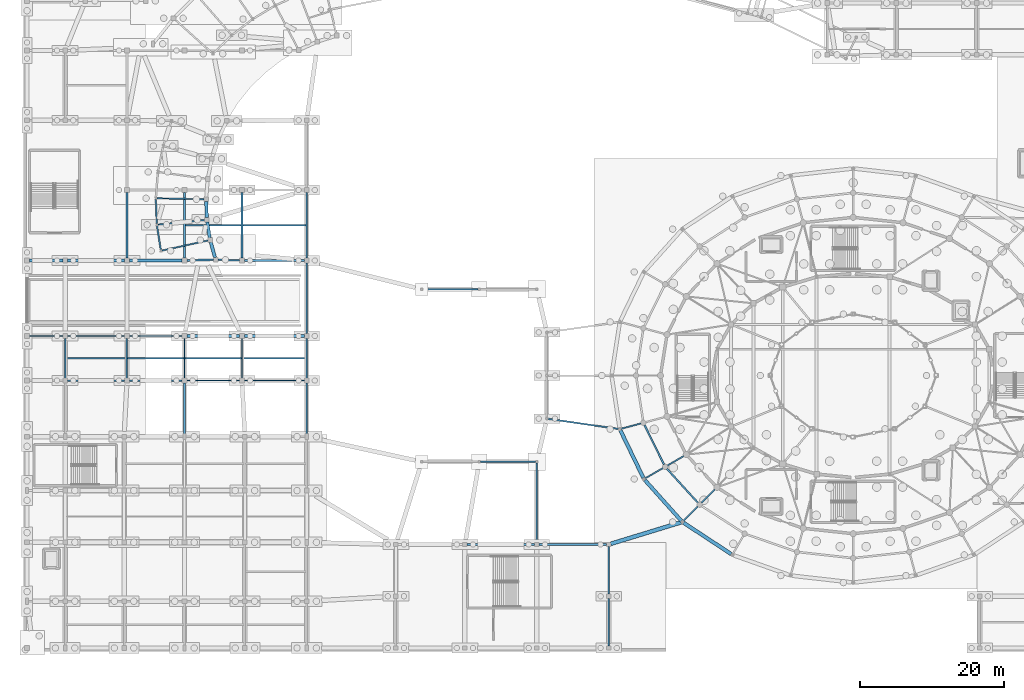
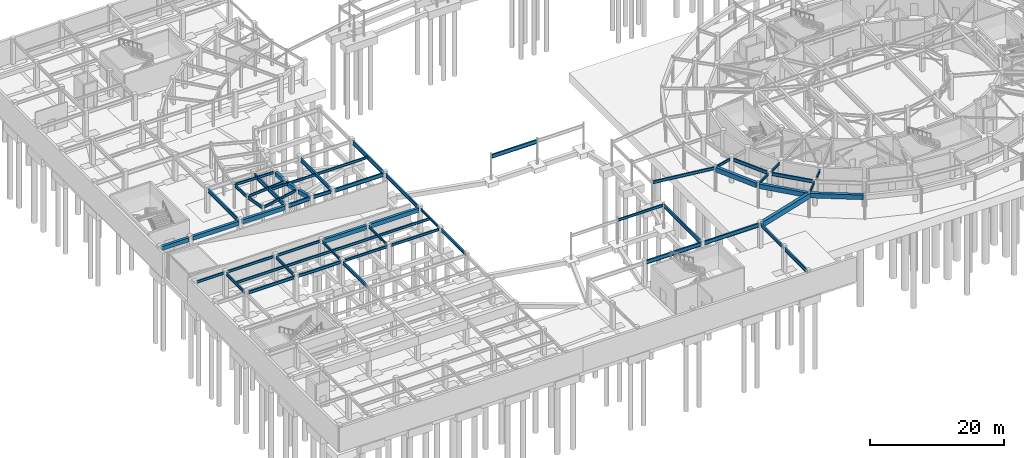
# One storey, part 27 of 68: 60 beams.
"""IFC4 building model written with IfcOpenShell, lengths in metres."""

from ifc_helpers import new_model, si_unit, direction, frame, origin, origin_2d, place, context, subcontext, project, spatial, rectangle, i_section, extrude, material, material_profile, profile_set, type_object, element, save


model = new_model("IFC4")

# Units and contexts
model_context = context("Model", 3, precision=1e-05, world=origin(), true_north=direction((0.0, 1.0)))
body_context = subcontext(model_context, "Body", "Model", "MODEL_VIEW")
ifc_project = project(units=[si_unit("LENGTHUNIT", "METRE"), si_unit("AREAUNIT", "SQUARE_METRE"), si_unit("VOLUMEUNIT", "CUBIC_METRE"), si_unit("PLANEANGLEUNIT", "RADIAN"), si_unit("MASSUNIT", "GRAM", prefix="KILO")], contexts=[model_context])

# Site, building, storey
site_placement = place(None, origin())
site = spatial("IfcSite", under=ifc_project, at=site_placement, CompositionType="ELEMENT")
building_placement = place(site_placement, origin())
building = spatial("IfcBuilding", under=site, at=building_placement, Name="Cinderbank Siding Concert Hall", CompositionType="ELEMENT")
storey_placement = place(building_placement, frame((0.0, 0.0, -4.800048828125)))
storey = spatial("IfcBuildingStorey", under=building, at=storey_placement, Name="B1", CompositionType="ELEMENT", Elevation=-4.800048828125)

# Beams
ifc_material_1 = material(Name="Reinforced concrete AS 3600 N50 (50 MPa)", Category="concrete")
ifc_material_profile_1 = material_profile(ifc_material_1, rectangle(XDim=0.449951171875, YDim=0.75, at=origin_2d()), Name="RC-BM-450x750", Category="LoadBearing")
ifc_profile_set_1 = profile_set([ifc_material_profile_1], Name="Reinforced concrete AS 3600 N50 (50 MPa)")
beam_type_1 = type_object("IfcBeamType", Name="BM-RC750 RC-BM-450x750", PredefinedType="BEAM", material=ifc_profile_set_1)
beam_1_placement = place(storey_placement, frame((32.017578125, 68.185791015625, 4.10693359375), z_axis=(0.038289040076, -0.999266705845, 0.0), x_axis=(0.999266705845, 0.038289040076, 0.0)))
element("IfcBeam", 1, at=beam_1_placement, inside=storey, type_object=beam_type_1, Name="B1 Beam BM-RC750 #889", PredefinedType="BEAM", context=body_context, shape_type="SweptSolid", body=[
    extrude(rectangle(XDim=0.449951171875, YDim=0.75, at=origin_2d()), origin(), (0.0, 0.0, 1.0), 2.212646484375),
])
for number, where, z_axis, x_axis, name in (
    (2, (32.1640625, 65.344970703125, 4.10693359375), (0.15644980143, -0.987685911428, 0.0), (0.987685911428, 0.15644980143, 0.0), "B1 Beam BM-RC750 #892"),
    (3, (32.646240234375, 62.54150390625, 4.10693359375), (0.272272359164, -0.962220225538, 0.0), (0.962220225538, 0.272272359164, 0.0), "B1 Beam BM-RC750 #895"),
):
    element("IfcBeam", number, at=place(storey_placement, frame(where, z_axis=z_axis, x_axis=x_axis)), inside=storey, type_object=beam_type_1, Name=name, PredefinedType="BEAM", context=body_context, shape_type="SweptSolid", body=[
        extrude(rectangle(XDim=0.449951171875, YDim=0.75, at=origin_2d()), origin(), (0.0, 0.0, 1.0), 2.212890625),
    ])
beam_2_placement = place(storey_placement, frame((7.4169921875, 60.0, 4.126953125), z_axis=(1.0, 0.0, 0.0), x_axis=(0.0, 1.0, 0.0)))
element("IfcBeam", 4, at=beam_2_placement, inside=storey, type_object=beam_type_1, Name="B1 Beam BM-RC750 #1187", PredefinedType="BEAM", context=body_context, shape_type="SweptSolid", body=[
    extrude(rectangle(XDim=0.449951171875, YDim=0.75, at=origin_2d()), origin(), (0.0, 0.0, 1.0), 4.666015625),
])
beam_3_placement = place(storey_placement, frame((12.717041015625, 60.0, 4.10693359375), z_axis=(1.0, 0.0, 0.0), x_axis=(0.0, 1.0, 0.0)))
element("IfcBeam", 5, at=beam_3_placement, inside=storey, type_object=beam_type_1, Name="B1 Beam BM-RC750 #1193", PredefinedType="BEAM", context=body_context, shape_type="SweptSolid", body=[
    extrude(rectangle(XDim=0.449951171875, YDim=0.75, at=origin_2d()), origin(), (0.0, 0.0, 1.0), 7.966064453125),
])
for number, where, z_axis, x_axis, name in (
    (6, (21.31689453125, 60.0, 4.10693359375), (1.0, 0.0, 0.0), (0.0, 1.0, 0.0), "B1 Beam BM-RC750 #1200"),
    (7, (29.31689453125, 49.5, 4.10693359375), (1.0, 0.0, 0.0), (0.0, 1.0, 0.0), "B1 Beam BM-RC750 #1209"),
):
    element("IfcBeam", number, at=place(storey_placement, frame(where, z_axis=z_axis, x_axis=x_axis)), inside=storey, type_object=beam_type_1, Name=name, PredefinedType="BEAM", context=body_context, shape_type="SweptSolid", body=[
        extrude(rectangle(XDim=0.449951171875, YDim=0.75, at=origin_2d()), origin(), (0.0, 0.0, 1.0), 7.3662109375),
    ])
beam_4_placement = place(storey_placement, frame((37.31689453125, 49.5, 4.10693359375), z_axis=(1.0, 0.0, 0.0), x_axis=(0.0, 1.0, 0.0)))
element("IfcBeam", 8, at=beam_4_placement, inside=storey, type_object=beam_type_1, Name="B1 Beam BM-RC750 #1216", PredefinedType="BEAM", context=body_context, shape_type="SweptSolid", body=[
    extrude(rectangle(XDim=0.449951171875, YDim=0.75, at=origin_2d()), origin(), (0.0, 0.0, 1.0), 8.3662109375),
])
ifc_material_profile_2 = material_profile(ifc_material_1, rectangle(XDim=0.5, YDim=0.85009765625, at=origin_2d()), Name="RC-BM-500x850", Category="LoadBearing")
ifc_profile_set_2 = profile_set([ifc_material_profile_2], Name="Reinforced concrete AS 3600 N50 (50 MPa)")
beam_type_2 = type_object("IfcBeamType", Name="BM-RC850 RC-BM-500x850", PredefinedType="BEAM", material=ifc_profile_set_2)
beam_5_placement = place(storey_placement, frame((89.6298828125, 36.3701171875, 4.09716796875), z_axis=(0.435119119312, -0.900372896087, 0.0), x_axis=(0.900372896087, 0.435119119312, 0.0)))
element("IfcBeam", 9, at=beam_5_placement, inside=storey, type_object=beam_type_2, Name="B1 Beam BM-RC850 #263", PredefinedType="BEAM", context=body_context, shape_type="SweptSolid", body=[
    extrude(rectangle(XDim=0.5, YDim=0.85009765625, at=origin_2d()), origin(), (0.0, 0.0, 1.0), 7.323974609375),
])
beam_6_placement = place(storey_placement, frame((93.03173828125, 29.45458984375, 4.09716796875), z_axis=(0.66699631625, -0.745061013682, 0.0), x_axis=(0.745061013682, 0.66699631625, 0.0)))
element("IfcBeam", 10, at=beam_6_placement, inside=storey, type_object=beam_type_2, Name="B1 Beam BM-RC850 #264", PredefinedType="BEAM", context=body_context, shape_type="SweptSolid", body=[
    extrude(rectangle(XDim=0.5, YDim=0.85009765625, at=origin_2d()), origin(), (0.0, 0.0, 1.0), 7.615234375),
])
beam_7_placement = place(storey_placement, frame((98.404296875, 23.528076171875, 4.09716796875), z_axis=(0.835488051266, -0.549508613392, 0.0), x_axis=(0.549508613392, 0.835488051266, 0.0)))
element("IfcBeam", 11, at=beam_7_placement, inside=storey, type_object=beam_type_2, Name="B1 Beam BM-RC850 #265", PredefinedType="BEAM", context=body_context, shape_type="SweptSolid", body=[
    extrude(rectangle(XDim=0.5, YDim=0.85009765625, at=origin_2d()), origin(), (0.0, 0.0, 1.0), 7.9384765625),
])
ifc_material_profile_3 = material_profile(ifc_material_1, rectangle(XDim=0.550048828125, YDim=0.949951171875, at=origin_2d()), Name="RC-BM-550x950", Category="LoadBearing")
ifc_profile_set_3 = profile_set([ifc_material_profile_3], Name="Reinforced concrete AS 3600 N50 (50 MPa)")
beam_type_3 = type_object("IfcBeamType", Name="BM-RC950 RC-BM-550x950", PredefinedType="BEAM", material=ifc_profile_set_3)
beam_8_placement = place(storey_placement, frame((88.279296875, 20.58544921875, 4.047119140625), z_axis=(0.956194226073, 0.292732987592, 0.0), x_axis=(-0.292732987592, 0.956194226073, 0.0)))
element("IfcBeam", 12, at=beam_8_placement, inside=storey, type_object=beam_type_3, Name="B1 Beam BM-RC950 #15", PredefinedType="BEAM", context=body_context, shape_type="SweptSolid", body=[
    extrude(rectangle(XDim=0.550048828125, YDim=0.949951171875, at=origin_2d()), origin(), (0.0, 0.0, 1.0), 10.22314453125),
])
ifc_material_2 = material(Name="Structural steel AS/NZS 3679.1 Grade 350 (340 MPa)", Category="steel")
ifc_material_profile_4 = material_profile(ifc_material_2, i_section(OverallWidth=0.18994140625, OverallDepth=0.45751953125, WebThickness=0.009033203125, FlangeThickness=0.014404296875, at=origin_2d()), Name="460UB74.6", Category="LoadBearing")
ifc_profile_set_4 = profile_set([ifc_material_profile_4], Name="Structural steel AS/NZS 3679.1 Grade 350 (340 MPa)")
beam_type_4 = type_object("IfcBeamType", Name="BM-UB460 460UB74.6", PredefinedType="BEAM", material=ifc_profile_set_4)
beam_9_placement = place(storey_placement, frame((31.6884765625, 68.50927734375, 4.25341796875), z_axis=(-0.999780521947, 0.020950129718, 0.0), x_axis=(-0.020950129718, -0.999780521947, 0.0)))
element("IfcBeam", 13, at=beam_9_placement, inside=storey, type_object=beam_type_4, Name="B1 Beam BM-UB460 #888", PredefinedType="BEAM", context=body_context, shape_type="SweptSolid", body=[
    extrude(i_section(OverallWidth=0.18994140625, OverallDepth=0.45751953125, WebThickness=0.009033203125, FlangeThickness=0.014404296875, at=origin_2d()), origin(), (0.0, 0.0, 1.0), 6.53759765625),
])
beam_10_placement = place(storey_placement, frame((31.799072265625, 65.627197265625, 4.25341796875), z_axis=(-0.995224398757, -0.097613503771, 0.0), x_axis=(0.097613503771, -0.995224398757, 0.0)))
element("IfcBeam", 14, at=beam_10_placement, inside=storey, type_object=beam_type_4, Name="B1 Beam BM-UB460 #891", PredefinedType="BEAM", context=body_context, shape_type="SweptSolid", body=[
    extrude(i_section(OverallWidth=0.18994140625, OverallDepth=0.45751953125, WebThickness=0.009033203125, FlangeThickness=0.014404296875, at=origin_2d()), origin(), (0.0, 0.0, 1.0), 6.535400390625),
])
beam_11_placement = place(storey_placement, frame((32.250244140625, 62.7783203125, 4.25341796875), z_axis=(-0.976673139677, -0.214731409519, 0.0), x_axis=(0.214731409519, -0.976673139677, 0.0)))
element("IfcBeam", 15, at=beam_11_placement, inside=storey, type_object=beam_type_4, Name="B1 Beam BM-UB460 #894", PredefinedType="BEAM", context=body_context, shape_type="SweptSolid", body=[
    extrude(i_section(OverallWidth=0.18994140625, OverallDepth=0.45751953125, WebThickness=0.009033203125, FlangeThickness=0.014404296875, at=origin_2d()), origin(), (0.0, 0.0, 1.0), 6.53759765625),
])
beam_12_placement = place(storey_placement, frame((7.4169921875, 49.5, 4.2734375), z_axis=(1.0, 0.0, 0.0), x_axis=(0.0, 1.0, 0.0)))
element("IfcBeam", 16, at=beam_12_placement, inside=storey, type_object=beam_type_4, Name="B1 Beam BM-UB460 #1186", PredefinedType="BEAM", context=body_context, shape_type="SweptSolid", body=[
    extrude(i_section(OverallWidth=0.18994140625, OverallDepth=0.45751953125, WebThickness=0.009033203125, FlangeThickness=0.014404296875, at=origin_2d()), origin(), (0.0, 0.0, 1.0), 4.666015625),
])
beam_13_placement = place(storey_placement, frame((12.717041015625, 49.5, 4.2734375), z_axis=(1.0, 0.0, 0.0), x_axis=(0.0, 1.0, 0.0)))
element("IfcBeam", 17, at=beam_13_placement, inside=storey, type_object=beam_type_4, Name="B1 Beam BM-UB460 #1192", PredefinedType="BEAM", context=body_context, shape_type="SweptSolid", body=[
    extrude(i_section(OverallWidth=0.18994140625, OverallDepth=0.45751953125, WebThickness=0.009033203125, FlangeThickness=0.014404296875, at=origin_2d()), origin(), (0.0, 0.0, 1.0), 7.966064453125),
])
for number, where, z_axis, x_axis, name in (
    (18, (21.31689453125, 49.5, 4.2734375), (1.0, 0.0, 0.0), (0.0, 1.0, 0.0), "B1 Beam BM-UB460 #1199"),
    (19, (29.31689453125, 43.300048828125, 4.25341796875), (1.0, 0.0, 0.0), (0.0, 1.0, 0.0), "B1 Beam BM-UB460 #1207"),
):
    element("IfcBeam", number, at=place(storey_placement, frame(where, z_axis=z_axis, x_axis=x_axis)), inside=storey, type_object=beam_type_4, Name=name, PredefinedType="BEAM", context=body_context, shape_type="SweptSolid", body=[
        extrude(i_section(OverallWidth=0.18994140625, OverallDepth=0.45751953125, WebThickness=0.009033203125, FlangeThickness=0.014404296875, at=origin_2d()), origin(), (0.0, 0.0, 1.0), 7.3662109375),
    ])
beam_14_placement = place(storey_placement, frame((29.0, 43.616943359375, 4.25341796875), z_axis=(0.0, 1.0, 0.0), x_axis=(-1.0, 0.0, 0.0)))
element("IfcBeam", 20, at=beam_14_placement, inside=storey, type_object=beam_type_4, Name="B1 Beam BM-UB460 #1208", PredefinedType="BEAM", context=body_context, shape_type="SweptSolid", body=[
    extrude(i_section(OverallWidth=0.18994140625, OverallDepth=0.45751953125, WebThickness=0.009033203125, FlangeThickness=0.014404296875, at=origin_2d()), origin(), (0.0, 0.0, 1.0), 5.566162109375),
])
beam_15_placement = place(storey_placement, frame((37.31689453125, 43.300048828125, 4.25341796875), z_axis=(1.0, 0.0, 0.0), x_axis=(0.0, 1.0, 0.0)))
element("IfcBeam", 21, at=beam_15_placement, inside=storey, type_object=beam_type_4, Name="B1 Beam BM-UB460 #1214", PredefinedType="BEAM", context=body_context, shape_type="SweptSolid", body=[
    extrude(i_section(OverallWidth=0.18994140625, OverallDepth=0.45751953125, WebThickness=0.009033203125, FlangeThickness=0.014404296875, at=origin_2d()), origin(), (0.0, 0.0, 1.0), 8.3662109375),
])
for number, where, z_axis, x_axis, name in (
    (22, (37.0, 43.616943359375, 4.25341796875), (0.0, 1.0, 0.0), (-1.0, 0.0, 0.0), "B1 Beam BM-UB460 #1215"),
    (23, (46.0, 43.616943359375, 4.25341796875), (0.0, 1.0, 0.0), (-1.0, 0.0, 0.0), "B1 Beam BM-UB460 #1221"),
):
    element("IfcBeam", number, at=place(storey_placement, frame(where, z_axis=z_axis, x_axis=x_axis)), inside=storey, type_object=beam_type_4, Name=name, PredefinedType="BEAM", context=body_context, shape_type="SweptSolid", body=[
        extrude(i_section(OverallWidth=0.18994140625, OverallDepth=0.45751953125, WebThickness=0.009033203125, FlangeThickness=0.014404296875, at=origin_2d()), origin(), (0.0, 0.0, 1.0), 5.566162109375),
    ])
beam_16_placement = place(storey_placement, frame((70.15380859375, 32.0, 4.25341796875), z_axis=(1.0, 0.0, 0.0), x_axis=(0.0, 1.0, 0.0)))
element("IfcBeam", 24, at=beam_16_placement, inside=storey, type_object=beam_type_4, Name="B1 Beam BM-UB460 #1226", PredefinedType="BEAM", context=body_context, shape_type="SweptSolid", body=[
    extrude(i_section(OverallWidth=0.18994140625, OverallDepth=0.45751953125, WebThickness=0.009033203125, FlangeThickness=0.014404296875, at=origin_2d()), origin(), (0.0, 0.0, 1.0), 7.6923828125),
])
ifc_material_profile_5 = material_profile(ifc_material_2, i_section(OverallWidth=0.19091796875, OverallDepth=0.46044921875, WebThickness=0.010009765625, FlangeThickness=0.01611328125, at=origin_2d()), Name="460UB82.1", Category="LoadBearing")
ifc_profile_set_5 = profile_set([ifc_material_profile_5], Name="Structural steel AS/NZS 3679.1 Grade 350 (340 MPa)")
beam_type_5 = type_object("IfcBeamType", Name="BM-UB460H 460UB82.1", PredefinedType="BEAM", material=ifc_profile_set_5)
beam_17_placement = place(storey_placement, frame((98.429443359375, 32.79150390625, 4.251953125), z_axis=(-0.866017746076, -0.500013263306, 0.0), x_axis=(0.500013263306, -0.866017746076, 0.0)))
element("IfcBeam", 25, at=beam_17_placement, inside=storey, type_object=beam_type_5, Name="B1 Beam BM-UB460H #299", PredefinedType="BEAM", context=body_context, shape_type="SweptSolid", body=[
    extrude(i_section(OverallWidth=0.19091796875, OverallDepth=0.46044921875, WebThickness=0.010009765625, FlangeThickness=0.01611328125, at=origin_2d()), origin(), (0.0, 0.0, 1.0), 2.6162109375),
])
beam_18_placement = place(storey_placement, frame((102.754638671875, 28.148681640625, 4.251953125), z_axis=(-0.707153444121, -0.707060115172, 0.0), x_axis=(0.707060115172, -0.707153444121, 0.0)))
element("IfcBeam", 26, at=beam_18_placement, inside=storey, type_object=beam_type_5, Name="B1 Beam BM-UB460H #300", PredefinedType="BEAM", context=body_context, shape_type="SweptSolid", body=[
    extrude(i_section(OverallWidth=0.19091796875, OverallDepth=0.46044921875, WebThickness=0.010009765625, FlangeThickness=0.01611328125, at=origin_2d()), origin(), (0.0, 0.0, 1.0), 2.615966796875),
])
for number, where, z_axis, x_axis, name in (
    (27, (92.474609375, 37.3310546875, 4.291748046875), (-0.965915793318, -0.258856485758, 0.0), (0.258856485758, -0.965915793318, 0.0), "B1 Beam BM-UB460H #322"),
    (28, (95.5283203125, 31.116455078125, 4.291748046875), (-0.866032301043, -0.499988053408, 0.0), (0.499988053408, -0.866032301043, 0.0), "B1 Beam BM-UB460H #323"),
):
    element("IfcBeam", number, at=place(storey_placement, frame(where, z_axis=z_axis, x_axis=x_axis)), inside=storey, type_object=beam_type_5, Name=name, PredefinedType="BEAM", context=body_context, shape_type="SweptSolid", body=[
        extrude(i_section(OverallWidth=0.19091796875, OverallDepth=0.46044921875, WebThickness=0.010009765625, FlangeThickness=0.01611328125, at=origin_2d()), origin(), (0.0, 0.0, 1.0), 2.837890625),
    ])
beam_19_placement = place(storey_placement, frame((100.385986328125, 25.780029296875, 4.291748046875), z_axis=(-0.707106781187, -0.707106781187, 0.0), x_axis=(0.707106781187, -0.707106781187, 0.0)))
element("IfcBeam", 29, at=beam_19_placement, inside=storey, type_object=beam_type_5, Name="B1 Beam BM-UB460H #324", PredefinedType="BEAM", context=body_context, shape_type="SweptSolid", body=[
    extrude(i_section(OverallWidth=0.19091796875, OverallDepth=0.46044921875, WebThickness=0.010009765625, FlangeThickness=0.01611328125, at=origin_2d()), origin(), (0.0, 0.0, 1.0), 2.838134765625),
])
ifc_material_profile_6 = material_profile(ifc_material_2, i_section(OverallWidth=0.208984375, OverallDepth=0.5283203125, WebThickness=0.009521484375, FlangeThickness=0.01318359375, at=origin_2d()), Name="530UB82.0", Category="LoadBearing")
ifc_profile_set_6 = profile_set([ifc_material_profile_6], Name="Structural steel AS/NZS 3679.1 Grade 350 (340 MPa)")
beam_type_6 = type_object("IfcBeamType", Name="BM-UB530 530UB82.0", PredefinedType="BEAM", material=ifc_profile_set_6)
beam_20_placement = place(storey_placement, frame((79.552490234375, 37.978271484375, 4.216064453125), z_axis=(0.989883786207, -0.141880547662, 0.0), x_axis=(0.141880547662, 0.989883786207, 0.0)))
element("IfcBeam", 30, at=beam_20_placement, inside=storey, type_object=beam_type_6, Name="B1 Beam BM-UB530 #28", PredefinedType="BEAM", context=body_context, shape_type="SweptSolid", body=[
    extrude(i_section(OverallWidth=0.208984375, OverallDepth=0.5283203125, WebThickness=0.009521484375, FlangeThickness=0.01318359375, at=origin_2d()), origin(), (0.0, 0.0, 1.0), 9.8994140625),
])
for number, where, z_axis, x_axis, name in (
    (31, (25.012451171875, 68.50390625, 4.218017578125), (0.038380479483, -0.999263197959, 0.0), (0.999263197959, 0.038380479483, 0.0), "B1 Beam BM-UB530 #890"),
    (32, (25.171142578125, 64.8291015625, 4.218017578125), (0.156414547922, -0.987691494951, 0.0), (0.987691494951, 0.156414547922, 0.0), "B1 Beam BM-UB530 #893"),
):
    element("IfcBeam", number, at=place(storey_placement, frame(where, z_axis=z_axis, x_axis=x_axis)), inside=storey, type_object=beam_type_6, Name=name, PredefinedType="BEAM", context=body_context, shape_type="SweptSolid", body=[
        extrude(i_section(OverallWidth=0.208984375, OverallDepth=0.5283203125, WebThickness=0.009521484375, FlangeThickness=0.01318359375, at=origin_2d()), origin(), (0.0, 0.0, 1.0), 3.384033203125),
    ])
beam_21_placement = place(storey_placement, frame((12.717041015625, 43.300048828125, 4.238037109375), z_axis=(1.0, 0.0, 0.0), x_axis=(0.0, 1.0, 0.0)))
element("IfcBeam", 33, at=beam_21_placement, inside=storey, type_object=beam_type_6, Name="B1 Beam BM-UB530 #1190", PredefinedType="BEAM", context=body_context, shape_type="SweptSolid", body=[
    extrude(i_section(OverallWidth=0.208984375, OverallDepth=0.5283203125, WebThickness=0.009521484375, FlangeThickness=0.01318359375, at=origin_2d()), origin(), (0.0, 0.0, 1.0), 7.966064453125),
])
beam_22_placement = place(storey_placement, frame((12.39990234375, 43.616943359375, 4.238037109375), z_axis=(0.0, 1.0, 0.0), x_axis=(-1.0, 0.0, 0.0)))
element("IfcBeam", 34, at=beam_22_placement, inside=storey, type_object=beam_type_6, Name="B1 Beam BM-UB530 #1191", PredefinedType="BEAM", context=body_context, shape_type="SweptSolid", body=[
    extrude(i_section(OverallWidth=0.208984375, OverallDepth=0.5283203125, WebThickness=0.009521484375, FlangeThickness=0.01318359375, at=origin_2d()), origin(), (0.0, 0.0, 1.0), 5.566162109375),
])
beam_23_placement = place(storey_placement, frame((21.31689453125, 43.300048828125, 4.238037109375), z_axis=(1.0, 0.0, 0.0), x_axis=(0.0, 1.0, 0.0)))
element("IfcBeam", 35, at=beam_23_placement, inside=storey, type_object=beam_type_6, Name="B1 Beam BM-UB530 #1197", PredefinedType="BEAM", context=body_context, shape_type="SweptSolid", body=[
    extrude(i_section(OverallWidth=0.208984375, OverallDepth=0.5283203125, WebThickness=0.009521484375, FlangeThickness=0.01318359375, at=origin_2d()), origin(), (0.0, 0.0, 1.0), 7.3662109375),
])
beam_24_placement = place(storey_placement, frame((21.0, 43.616943359375, 4.238037109375), z_axis=(0.0, 1.0, 0.0), x_axis=(-1.0, 0.0, 0.0)))
element("IfcBeam", 36, at=beam_24_placement, inside=storey, type_object=beam_type_6, Name="B1 Beam BM-UB530 #1198", PredefinedType="BEAM", context=body_context, shape_type="SweptSolid", body=[
    extrude(i_section(OverallWidth=0.208984375, OverallDepth=0.5283203125, WebThickness=0.009521484375, FlangeThickness=0.01318359375, at=origin_2d()), origin(), (0.0, 0.0, 1.0), 5.566162109375),
])
ifc_material_profile_7 = material_profile(ifc_material_2, i_section(OverallWidth=0.22802734375, OverallDepth=0.602294921875, WebThickness=0.010498046875, FlangeThickness=0.014892578125, at=origin_2d()), Name="610UB101", Category="LoadBearing")
ifc_profile_set_7 = profile_set([ifc_material_profile_7], Name="Structural steel AS/NZS 3679.1 Grade 350 (340 MPa)")
beam_type_7 = type_object("IfcBeamType", Name="BM-UB610 610UB101", PredefinedType="BEAM", material=ifc_profile_set_7)
beam_25_placement = place(storey_placement, frame((33.65185546875, 60.09765625, 4.180908203125), z_axis=(0.999575236725, -0.029143543468, 0.0), x_axis=(0.029143543468, 0.999575236725, 0.0)))
element("IfcBeam", 37, at=beam_25_placement, inside=storey, type_object=beam_type_7, Name="B1 Beam BM-UB610 #1067", PredefinedType="BEAM", context=body_context, shape_type="SweptSolid", body=[
    extrude(i_section(OverallWidth=0.22802734375, OverallDepth=0.602294921875, WebThickness=0.010498046875, FlangeThickness=0.014892578125, at=origin_2d()), origin(), (0.0, 0.0, 1.0), 3.032470703125),
])
for number, where, z_axis, x_axis, name in (
    (38, (29.0, 35.717041015625, 4.180908203125), (0.0, 1.0, 0.0), (-1.0, 0.0, 0.0), "B1 Beam BM-UB610 #1088"),
    (39, (46.0, 35.717041015625, 4.180908203125), (0.0, 1.0, 0.0), (-1.0, 0.0, 0.0), "B1 Beam BM-UB610 #1099"),
):
    element("IfcBeam", number, at=place(storey_placement, frame(where, z_axis=z_axis, x_axis=x_axis)), inside=storey, type_object=beam_type_7, Name=name, PredefinedType="BEAM", context=body_context, shape_type="SweptSolid", body=[
        extrude(i_section(OverallWidth=0.22802734375, OverallDepth=0.602294921875, WebThickness=0.010498046875, FlangeThickness=0.014892578125, at=origin_2d()), origin(), (0.0, 0.0, 1.0), 7.265869140625),
    ])
beam_26_placement = place(storey_placement, frame((88.0, 13.592041015625, 4.220947265625), z_axis=(0.0, 1.0, 0.0), x_axis=(-1.0, 0.0, 0.0)))
element("IfcBeam", 40, at=beam_26_placement, inside=storey, type_object=beam_type_7, Name="B1 Beam BM-UB610 #1172", PredefinedType="BEAM", context=body_context, shape_type="SweptSolid", body=[
    extrude(i_section(OverallWidth=0.22802734375, OverallDepth=0.602294921875, WebThickness=0.010498046875, FlangeThickness=0.014892578125, at=origin_2d()), origin(), (0.0, 0.0, 1.0), 6.615966796875),
])
ifc_material_profile_8 = material_profile(ifc_material_2, i_section(OverallWidth=0.22802734375, OverallDepth=0.60693359375, WebThickness=0.01123046875, FlangeThickness=0.017333984375, at=origin_2d()), Name="610UB113", Category="LoadBearing")
ifc_profile_set_8 = profile_set([ifc_material_profile_8], Name="Structural steel AS/NZS 3679.1 Grade 350 (340 MPa)")
beam_type_8 = type_object("IfcBeamType", Name="BM-UB610M 610UB113", PredefinedType="BEAM", material=ifc_profile_set_8)
beam_27_placement = place(storey_placement, frame((92.9912109375, 37.0966796875, 4.178466796875), z_axis=(0.441805555106, -0.89711083567, 0.0), x_axis=(0.89711083567, 0.441805555106, 0.0)))
element("IfcBeam", 41, at=beam_27_placement, inside=storey, type_object=beam_type_8, Name="B1 Beam BM-UB610M #239", PredefinedType="BEAM", context=body_context, shape_type="SweptSolid", body=[
    extrude(i_section(OverallWidth=0.22802734375, OverallDepth=0.60693359375, WebThickness=0.01123046875, FlangeThickness=0.017333984375, at=origin_2d()), origin(), (0.0, 0.0, 1.0), 6.094482421875),
])
beam_28_placement = place(storey_placement, frame((96.093505859375, 31.02880859375, 4.178466796875), z_axis=(0.673967477755, -0.738761016113, 0.0), x_axis=(0.738761016113, 0.673967477755, 0.0)))
element("IfcBeam", 42, at=beam_28_placement, inside=storey, type_object=beam_type_8, Name="B1 Beam BM-UB610M #240", PredefinedType="BEAM", context=body_context, shape_type="SweptSolid", body=[
    extrude(i_section(OverallWidth=0.22802734375, OverallDepth=0.60693359375, WebThickness=0.01123046875, FlangeThickness=0.017333984375, at=origin_2d()), origin(), (0.0, 0.0, 1.0), 6.38671875),
])
ifc_material_3 = material(Name="Structural steel welded plate section AS/NZS 3679.2 / AS/NZS 3678 Grade 350 (340 MPa)", Category="steel")
ifc_material_profile_9 = material_profile(ifc_material_3, i_section(OverallWidth=0.25, OverallDepth=0.699951171875, WebThickness=0.010009765625, FlangeThickness=0.01611328125, at=origin_2d()), Name="700WB130", Category="LoadBearing")
ifc_profile_set_9 = profile_set([ifc_material_profile_9], Name="Structural steel welded plate section AS/NZS 3679.2 / AS/NZS 3678 Grade 350 (340 MPa)")
beam_type_9 = type_object("IfcBeamType", Name="BM-WB700 700WB130", PredefinedType="BEAM", material=ifc_profile_set_9)
for number, where, z_axis, x_axis, name in (
    (43, (68.2919921875, 20.5, 4.172119140625), (1.0, 0.0, 0.0), (0.0, 1.0, 0.0), "B1 Beam BM-WB700 #1168"),
    (44, (78.2919921875, 20.5, 4.172119140625), (1.0, 0.0, 0.0), (0.0, 1.0, 0.0), "B1 Beam BM-WB700 #1169"),
):
    element("IfcBeam", number, at=place(storey_placement, frame(where, z_axis=z_axis, x_axis=x_axis)), inside=storey, type_object=beam_type_9, Name=name, PredefinedType="BEAM", context=body_context, shape_type="SweptSolid", body=[
        extrude(i_section(OverallWidth=0.25, OverallDepth=0.699951171875, WebThickness=0.010009765625, FlangeThickness=0.01611328125, at=origin_2d()), origin(), (0.0, 0.0, 1.0), 9.416015625),
    ])
beam_29_placement = place(storey_placement, frame((78.0, 20.7919921875, 4.172119140625), z_axis=(0.0, 1.0, 0.0), x_axis=(-1.0, 0.0, 0.0)))
element("IfcBeam", 45, at=beam_29_placement, inside=storey, type_object=beam_type_9, Name="B1 Beam BM-WB700 #1170", PredefinedType="BEAM", context=body_context, shape_type="SweptSolid", body=[
    extrude(i_section(OverallWidth=0.25, OverallDepth=0.699951171875, WebThickness=0.010009765625, FlangeThickness=0.01611328125, at=origin_2d()), origin(), (0.0, 0.0, 1.0), 11.05419921875),
])
beam_30_placement = place(storey_placement, frame((88.0, 6.39208984375, 4.172119140625), z_axis=(0.0, 1.0, 0.0), x_axis=(-1.0, 0.0, 0.0)))
element("IfcBeam", 46, at=beam_30_placement, inside=storey, type_object=beam_type_9, Name="B1 Beam BM-WB700 #1171", PredefinedType="BEAM", context=body_context, shape_type="SweptSolid", body=[
    extrude(i_section(OverallWidth=0.25, OverallDepth=0.699951171875, WebThickness=0.010009765625, FlangeThickness=0.01611328125, at=origin_2d()), origin(), (0.0, 0.0, 1.0), 6.615966796875),
])
beam_31_placement = place(storey_placement, frame((21.0, 60.31689453125, 4.132080078125), z_axis=(0.0, 1.0, 0.0), x_axis=(-1.0, 0.0, 0.0)))
element("IfcBeam", 47, at=beam_31_placement, inside=storey, type_object=beam_type_9, Name="B1 Beam BM-WB700 #1201", PredefinedType="BEAM", context=body_context, shape_type="SweptSolid", body=[
    extrude(i_section(OverallWidth=0.25, OverallDepth=0.699951171875, WebThickness=0.010009765625, FlangeThickness=0.01611328125, at=origin_2d()), origin(), (0.0, 0.0, 1.0), 9.166015625),
])
beam_32_placement = place(storey_placement, frame((29.31689453125, 60.0078125, 4.132080078125), z_axis=(0.999695829829, 0.024662680762, 0.0), x_axis=(-0.024662680762, 0.999695829829, 0.0)))
element("IfcBeam", 48, at=beam_32_placement, inside=storey, type_object=beam_type_9, Name="B1 Beam BM-WB700 #1210", PredefinedType="BEAM", context=body_context, shape_type="SweptSolid", body=[
    extrude(i_section(OverallWidth=0.25, OverallDepth=0.699951171875, WebThickness=0.010009765625, FlangeThickness=0.01611328125, at=origin_2d()), origin(), (0.0, 0.0, 1.0), 3.702392578125),
])
beam_33_placement = place(storey_placement, frame((29.0, 60.31689453125, 4.132080078125), z_axis=(0.0, 1.0, 0.0), x_axis=(-1.0, 0.0, 0.0)))
element("IfcBeam", 49, at=beam_33_placement, inside=storey, type_object=beam_type_9, Name="B1 Beam BM-WB700 #1211", PredefinedType="BEAM", context=body_context, shape_type="SweptSolid", body=[
    extrude(i_section(OverallWidth=0.25, OverallDepth=0.699951171875, WebThickness=0.010009765625, FlangeThickness=0.01611328125, at=origin_2d()), origin(), (0.0, 0.0, 1.0), 9.166015625),
])
beam_34_placement = place(storey_placement, frame((37.31689453125, 60.0, 4.132080078125), z_axis=(1.0, 0.0, 0.0), x_axis=(0.0, 1.0, 0.0)))
element("IfcBeam", 50, at=beam_34_placement, inside=storey, type_object=beam_type_9, Name="B1 Beam BM-WB700 #1217", PredefinedType="BEAM", context=body_context, shape_type="SweptSolid", body=[
    extrude(i_section(OverallWidth=0.25, OverallDepth=0.699951171875, WebThickness=0.010009765625, FlangeThickness=0.01611328125, at=origin_2d()), origin(), (0.0, 0.0, 1.0), 8.3662109375),
])
beam_35_placement = place(storey_placement, frame((37.0, 60.31689453125, 4.132080078125), z_axis=(0.0, 1.0, 0.0), x_axis=(-1.0, 0.0, 0.0)))
element("IfcBeam", 51, at=beam_35_placement, inside=storey, type_object=beam_type_9, Name="B1 Beam BM-WB700 #1218", PredefinedType="BEAM", context=body_context, shape_type="SweptSolid", body=[
    extrude(i_section(OverallWidth=0.25, OverallDepth=0.699951171875, WebThickness=0.010009765625, FlangeThickness=0.01611328125, at=origin_2d()), origin(), (0.0, 0.0, 1.0), 9.166015625),
])
beam_36_placement = place(storey_placement, frame((46.0, 49.81689453125, 4.132080078125), z_axis=(0.0, 1.0, 0.0), x_axis=(-1.0, 0.0, 0.0)))
element("IfcBeam", 52, at=beam_36_placement, inside=storey, type_object=beam_type_9, Name="B1 Beam BM-WB700 #1222", PredefinedType="BEAM", context=body_context, shape_type="SweptSolid", body=[
    extrude(i_section(OverallWidth=0.25, OverallDepth=0.699951171875, WebThickness=0.010009765625, FlangeThickness=0.01611328125, at=origin_2d()), origin(), (0.0, 0.0, 1.0), 9.8662109375),
])
beam_37_placement = place(storey_placement, frame((46.0, 60.31689453125, 4.132080078125), z_axis=(0.0, 1.0, 0.0), x_axis=(-1.0, 0.0, 0.0)))
element("IfcBeam", 53, at=beam_37_placement, inside=storey, type_object=beam_type_9, Name="B1 Beam BM-WB700 #1223", PredefinedType="BEAM", context=body_context, shape_type="SweptSolid", body=[
    extrude(i_section(OverallWidth=0.25, OverallDepth=0.699951171875, WebThickness=0.010009765625, FlangeThickness=0.01611328125, at=origin_2d()), origin(), (0.0, 0.0, 1.0), 9.166015625),
])
beam_38_placement = place(storey_placement, frame((62.154052734375, 56.0, 4.132080078125), z_axis=(1.0, 0.0, 0.0), x_axis=(0.0, 1.0, 0.0)))
element("IfcBeam", 54, at=beam_38_placement, inside=storey, type_object=beam_type_9, Name="B1 Beam BM-WB700 #1227", PredefinedType="BEAM", context=body_context, shape_type="SweptSolid", body=[
    extrude(i_section(OverallWidth=0.25, OverallDepth=0.699951171875, WebThickness=0.010009765625, FlangeThickness=0.01611328125, at=origin_2d()), origin(), (0.0, 0.0, 1.0), 7.692138671875),
])
ifc_material_profile_10 = material_profile(ifc_material_2, i_section(OverallWidth=0.18994140625, OverallDepth=0.453857421875, WebThickness=0.008544921875, FlangeThickness=0.0126953125, at=origin_2d()), Name="460UB67.1", Category="LoadBearing")
ifc_profile_set_10 = profile_set([ifc_material_profile_10], Name="Structural steel AS/NZS 3679.1 Grade 350 (340 MPa)")
beam_type_10 = type_object("IfcBeamType", Name="JS-UB460 460UB67.1", PredefinedType="JOIST", material=ifc_profile_set_10)
beam_39_placement = place(storey_placement, frame((12.49658203125, 46.39990234375, 4.275146484375), z_axis=(1.0, 0.0, 0.0), x_axis=(0.0, 1.0, 0.0)))
element("IfcBeam", 55, at=beam_39_placement, inside=storey, type_object=beam_type_10, Name="B1 Beam JS-UB460 #1266", PredefinedType="JOIST", context=body_context, shape_type="SweptSolid", body=[
    extrude(i_section(OverallWidth=0.18994140625, OverallDepth=0.453857421875, WebThickness=0.008544921875, FlangeThickness=0.0126953125, at=origin_2d()), origin(), (0.0, 0.0, 1.0), 8.406982421875),
])
beam_40_placement = place(storey_placement, frame((21.096435546875, 46.39990234375, 4.275146484375), z_axis=(1.0, 0.0, 0.0), x_axis=(0.0, 1.0, 0.0)))
element("IfcBeam", 56, at=beam_40_placement, inside=storey, type_object=beam_type_10, Name="B1 Beam JS-UB460 #1268", PredefinedType="JOIST", context=body_context, shape_type="SweptSolid", body=[
    extrude(i_section(OverallWidth=0.18994140625, OverallDepth=0.453857421875, WebThickness=0.008544921875, FlangeThickness=0.0126953125, at=origin_2d()), origin(), (0.0, 0.0, 1.0), 7.816650390625),
])
beam_41_placement = place(storey_placement, frame((29.0869140625, 46.39990234375, 4.255126953125), z_axis=(1.0, 0.0, 0.0), x_axis=(0.0, 1.0, 0.0)))
element("IfcBeam", 57, at=beam_41_placement, inside=storey, type_object=beam_type_10, Name="B1 Beam JS-UB460 #1269", PredefinedType="JOIST", context=body_context, shape_type="SweptSolid", body=[
    extrude(i_section(OverallWidth=0.18994140625, OverallDepth=0.453857421875, WebThickness=0.008544921875, FlangeThickness=0.0126953125, at=origin_2d()), origin(), (0.0, 0.0, 1.0), 7.826171875),
])
beam_42_placement = place(storey_placement, frame((29.116943359375, 64.89990234375, 4.255126953125), z_axis=(1.0, 0.0, 0.0), x_axis=(0.0, 1.0, 0.0)))
element("IfcBeam", 58, at=beam_42_placement, inside=storey, type_object=beam_type_10, Name="B1 Beam JS-UB460 #1270", PredefinedType="JOIST", context=body_context, shape_type="SweptSolid", body=[
    extrude(i_section(OverallWidth=0.18994140625, OverallDepth=0.453857421875, WebThickness=0.008544921875, FlangeThickness=0.0126953125, at=origin_2d()), origin(), (0.0, 0.0, 1.0), 7.76611328125),
])
beam_43_placement = place(storey_placement, frame((37.0869140625, 46.39990234375, 4.255126953125), z_axis=(1.0, 0.0, 0.0), x_axis=(0.0, 1.0, 0.0)))
element("IfcBeam", 59, at=beam_43_placement, inside=storey, type_object=beam_type_10, Name="B1 Beam JS-UB460 #1271", PredefinedType="JOIST", context=body_context, shape_type="SweptSolid", body=[
    extrude(i_section(OverallWidth=0.18994140625, OverallDepth=0.453857421875, WebThickness=0.008544921875, FlangeThickness=0.0126953125, at=origin_2d()), origin(), (0.0, 0.0, 1.0), 8.826171875),
])
beam_44_placement = place(storey_placement, frame((37.116943359375, 64.89990234375, 4.255126953125), z_axis=(1.0, 0.0, 0.0), x_axis=(0.0, 1.0, 0.0)))
element("IfcBeam", 60, at=beam_44_placement, inside=storey, type_object=beam_type_10, Name="B1 Beam JS-UB460 #1272", PredefinedType="JOIST", context=body_context, shape_type="SweptSolid", body=[
    extrude(i_section(OverallWidth=0.18994140625, OverallDepth=0.453857421875, WebThickness=0.008544921875, FlangeThickness=0.0126953125, at=origin_2d()), origin(), (0.0, 0.0, 1.0), 8.76611328125),
])

save(model, "model.ifc")
